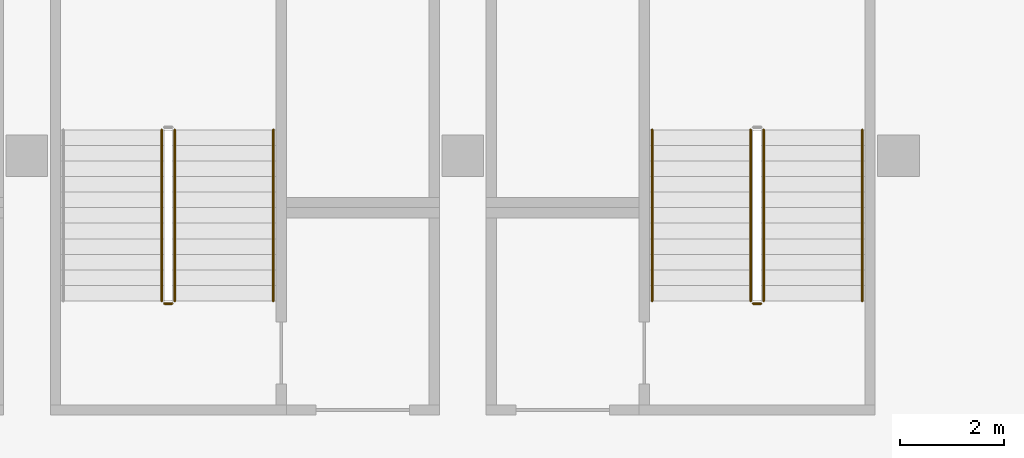
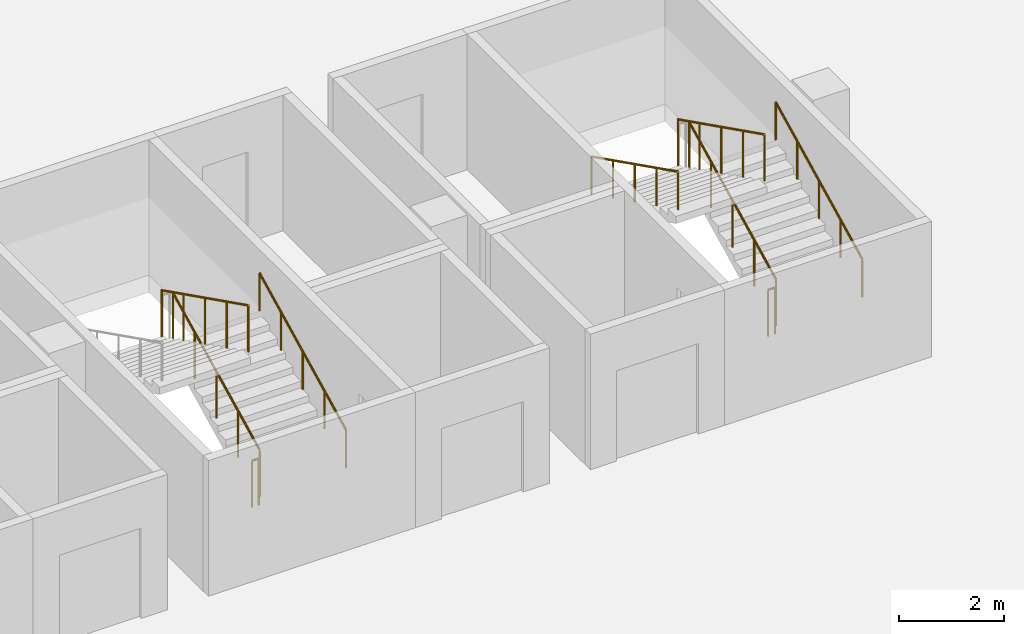
# One storey, part 28 of 37: 9 railings.
"""IFC4 building model written with IfcOpenShell, lengths in metres."""

from ifc_helpers import new_model, si_unit, direction, frame, origin, origin_2d, place, context, subcontext, project, spatial, circle, extrude, material, type_object, element, save


model = new_model("IFC4")

# Units and contexts
model_context = context("Model", 3, precision=1e-05, world=origin(), true_north=direction((0.0, 1.0)))
body_context = subcontext(model_context, "Body", "Model", "MODEL_VIEW")
ifc_project = project(units=[si_unit("LENGTHUNIT", "METRE"), si_unit("AREAUNIT", "SQUARE_METRE"), si_unit("VOLUMEUNIT", "CUBIC_METRE"), si_unit("PLANEANGLEUNIT", "RADIAN"), si_unit("MASSUNIT", "GRAM", prefix="KILO")], contexts=[model_context])

# Site, building, storey
site_placement = place(None, origin())
site = spatial("IfcSite", under=ifc_project, at=site_placement, CompositionType="ELEMENT")
building_placement = place(site_placement, origin())
building = spatial("IfcBuilding", under=site, at=building_placement, Name="Tamra Quay Hotel Tower", CompositionType="ELEMENT")
storey_placement = place(building_placement, frame((0.0, 0.0, -3.60009765625)))
storey = spatial("IfcBuildingStorey", under=building, at=storey_placement, Name="B1", CompositionType="ELEMENT", Elevation=-3.60009765625)

# Railings
ifc_material_1 = material(Name="Basement stair guard 1100")
railing_type_1 = type_object("IfcRailingType", Name="Basement stair guard 1100", PredefinedType="GUARDRAIL", material=ifc_material_1)
railing_1_placement = place(storey_placement, frame((-52.64990234375, 45.199951171875, 0.150146484375)))
element("IfcRailing", 1, at=railing_1_placement, inside=storey, type_object=railing_type_1, Name="BSG", PredefinedType="GUARDRAIL", context=body_context, shape_type="SweptSolid", body=[
    extrude(circle(Radius=0.02392578125, at=origin_2d()), frame((0.0, 0.0, 1.076171875), z_axis=(0.0, 0.894440424912, 0.447187126696), x_axis=(-1.0, 0.0, 0.0)), (0.0, 0.0, 1.0), 3.689453125),
    extrude(circle(Radius=0.02099609375, at=origin_2d()), origin(), (0.0, 0.0, 1.0), 1.052001953125),
    extrude(circle(Radius=0.02099609375, at=origin_2d()), frame((0.0, 0.824951171875, 0.41259765625)), (0.0, 0.0, 1.0), 1.052001953125),
    extrude(circle(Radius=0.02099609375, at=origin_2d()), frame((0.0, 1.64990234375, 0.824951171875)), (0.0, 0.0, 1.0), 1.052001953125),
    extrude(circle(Radius=0.02099609375, at=origin_2d()), frame((0.0, 2.47509765625, 1.2373046875)), (0.0, 0.0, 1.0), 1.052001953125),
    extrude(circle(Radius=0.02099609375, at=origin_2d()), frame((0.0, 3.300048828125, 1.64990234375)), (0.0, 0.0, 1.0), 1.052001953125),
])
railing_2_placement = place(storey_placement, frame((-52.89990234375, 48.5, 1.9501953125)))
element("IfcRailing", 2, at=railing_2_placement, inside=storey, type_object=railing_type_1, Name="BSG", PredefinedType="GUARDRAIL", context=body_context, shape_type="SweptSolid", body=[
    extrude(circle(Radius=0.02392578125, at=origin_2d()), frame((0.0, 0.0, 1.076171875), z_axis=(0.0, -0.894440424912, 0.447187126696), x_axis=(1.0, 0.0, 0.0)), (0.0, 0.0, 1.0), 3.689453125),
    extrude(circle(Radius=0.02099609375, at=origin_2d()), origin(), (0.0, 0.0, 1.0), 1.052001953125),
    extrude(circle(Radius=0.02099609375, at=origin_2d()), frame((0.0, -0.824951171875, 0.41259765625)), (0.0, 0.0, 1.0), 1.052001953125),
    extrude(circle(Radius=0.02099609375, at=origin_2d()), frame((0.0, -1.64990234375, 0.824951171875)), (0.0, 0.0, 1.0), 1.052001953125),
    extrude(circle(Radius=0.02099609375, at=origin_2d()), frame((0.0, -2.47509765625, 1.2373046875)), (0.0, 0.0, 1.0), 1.052001953125),
    extrude(circle(Radius=0.02099609375, at=origin_2d()), frame((0.0, -3.300048828125, 1.64990234375)), (0.0, 0.0, 1.0), 1.052001953125),
])
railing_3_placement = place(storey_placement, frame((-52.699951171875, 45.14990234375, 0.0)))
element("IfcRailing", 3, at=railing_3_placement, inside=storey, type_object=railing_type_1, Name="BSG", PredefinedType="GUARDRAIL", context=body_context, shape_type="SweptSolid", body=[
    extrude(circle(Radius=0.02392578125, at=origin_2d()), frame((0.0, 0.0, 1.076171875), z_axis=(-1.0, 0.0, 0.0), x_axis=(0.0, -1.0, 0.0)), (0.0, 0.0, 1.0), 0.150146484375),
    extrude(circle(Radius=0.02099609375, at=origin_2d()), origin(), (0.0, 0.0, 1.0), 1.052001953125),
    extrude(circle(Radius=0.02099609375, at=origin_2d()), frame((-0.150146484375, 0.0, 0.0)), (0.0, 0.0, 1.0), 1.052001953125),
])
railing_4_placement = place(storey_placement, frame((-41.300048828125, 45.199951171875, 0.150146484375)))
element("IfcRailing", 4, at=railing_4_placement, inside=storey, type_object=railing_type_1, Name="BSG", PredefinedType="GUARDRAIL", context=body_context, shape_type="SweptSolid", body=[
    extrude(circle(Radius=0.02392578125, at=origin_2d()), frame((0.0, 0.0, 1.076171875), z_axis=(0.0, 0.894440424912, 0.447187126696), x_axis=(-1.0, 0.0, 0.0)), (0.0, 0.0, 1.0), 3.689453125),
    extrude(circle(Radius=0.02099609375, at=origin_2d()), origin(), (0.0, 0.0, 1.0), 1.052001953125),
    extrude(circle(Radius=0.02099609375, at=origin_2d()), frame((0.0, 0.824951171875, 0.41259765625)), (0.0, 0.0, 1.0), 1.052001953125),
    extrude(circle(Radius=0.02099609375, at=origin_2d()), frame((0.0, 1.64990234375, 0.824951171875)), (0.0, 0.0, 1.0), 1.052001953125),
    extrude(circle(Radius=0.02099609375, at=origin_2d()), frame((0.0, 2.47509765625, 1.2373046875)), (0.0, 0.0, 1.0), 1.052001953125),
    extrude(circle(Radius=0.02099609375, at=origin_2d()), frame((0.0, 3.300048828125, 1.64990234375)), (0.0, 0.0, 1.0), 1.052001953125),
])
railing_5_placement = place(storey_placement, frame((-41.550048828125, 48.5, 1.9501953125)))
element("IfcRailing", 5, at=railing_5_placement, inside=storey, type_object=railing_type_1, Name="BSG", PredefinedType="GUARDRAIL", context=body_context, shape_type="SweptSolid", body=[
    extrude(circle(Radius=0.02392578125, at=origin_2d()), frame((0.0, 0.0, 1.076171875), z_axis=(0.0, -0.894440424912, 0.447187126696), x_axis=(1.0, 0.0, 0.0)), (0.0, 0.0, 1.0), 3.689453125),
    extrude(circle(Radius=0.02099609375, at=origin_2d()), origin(), (0.0, 0.0, 1.0), 1.052001953125),
    extrude(circle(Radius=0.02099609375, at=origin_2d()), frame((0.0, -0.824951171875, 0.41259765625)), (0.0, 0.0, 1.0), 1.052001953125),
    extrude(circle(Radius=0.02099609375, at=origin_2d()), frame((0.0, -1.64990234375, 0.824951171875)), (0.0, 0.0, 1.0), 1.052001953125),
    extrude(circle(Radius=0.02099609375, at=origin_2d()), frame((0.0, -2.47509765625, 1.2373046875)), (0.0, 0.0, 1.0), 1.052001953125),
    extrude(circle(Radius=0.02099609375, at=origin_2d()), frame((0.0, -3.300048828125, 1.64990234375)), (0.0, 0.0, 1.0), 1.052001953125),
])
railing_6_placement = place(storey_placement, frame((-41.35009765625, 45.14990234375, 0.0)))
element("IfcRailing", 6, at=railing_6_placement, inside=storey, type_object=railing_type_1, Name="BSG", PredefinedType="GUARDRAIL", context=body_context, shape_type="SweptSolid", body=[
    extrude(circle(Radius=0.02392578125, at=origin_2d()), frame((0.0, 0.0, 1.076171875), z_axis=(-1.0, 0.0, 0.0), x_axis=(0.0, -1.0, 0.0)), (0.0, 0.0, 1.0), 0.14990234375),
    extrude(circle(Radius=0.02099609375, at=origin_2d()), origin(), (0.0, 0.0, 1.0), 1.052001953125),
    extrude(circle(Radius=0.02099609375, at=origin_2d()), frame((-0.14990234375, 0.0, 0.0)), (0.0, 0.0, 1.0), 1.052001953125),
])
ifc_material_2 = material(Name="Basement stair handrail 900")
railing_type_2 = type_object("IfcRailingType", Name="Basement stair handrail 900", PredefinedType="HANDRAIL", material=ifc_material_2)
for number, where, name in (
    (7, (-50.75, 45.199951171875, 0.150146484375), "BSH"),
    (8, (-39.39990234375, 45.199951171875, 0.150146484375), "BSH"),
):
    element("IfcRailing", number, at=place(storey_placement, frame(where)), inside=storey, type_object=railing_type_2, Name=name, PredefinedType="HANDRAIL", context=body_context, shape_type="SweptSolid", body=[
        extrude(circle(Radius=0.02392578125, at=origin_2d()), frame((0.0, 0.0, 0.8759765625), z_axis=(0.0, 0.894440424912, 0.447187126696), x_axis=(-1.0, 0.0, 0.0)), (0.0, 0.0, 1.0), 3.689453125),
        extrude(circle(Radius=0.02099609375, at=origin_2d()), origin(), (0.0, 0.0, 1.0), 0.851806640625),
        extrude(circle(Radius=0.02099609375, at=origin_2d()), frame((0.0, 0.824951171875, 0.41259765625)), (0.0, 0.0, 1.0), 0.851806640625),
        extrude(circle(Radius=0.02099609375, at=origin_2d()), frame((0.0, 1.64990234375, 0.824951171875)), (0.0, 0.0, 1.0), 0.851806640625),
        extrude(circle(Radius=0.02099609375, at=origin_2d()), frame((0.0, 2.47509765625, 1.2373046875)), (0.0, 0.0, 1.0), 0.851806640625),
        extrude(circle(Radius=0.02099609375, at=origin_2d()), frame((0.0, 3.300048828125, 1.64990234375)), (0.0, 0.0, 1.0), 0.851806640625),
    ])
railing_7_placement = place(storey_placement, frame((-43.449951171875, 48.5, 1.9501953125)))
element("IfcRailing", 9, at=railing_7_placement, inside=storey, type_object=railing_type_2, Name="BSH", PredefinedType="HANDRAIL", context=body_context, shape_type="SweptSolid", body=[
    extrude(circle(Radius=0.02392578125, at=origin_2d()), frame((0.0, 0.0, 0.8759765625), z_axis=(0.0, -0.894440424912, 0.447187126696), x_axis=(1.0, 0.0, 0.0)), (0.0, 0.0, 1.0), 3.689453125),
    extrude(circle(Radius=0.02099609375, at=origin_2d()), origin(), (0.0, 0.0, 1.0), 0.851806640625),
    extrude(circle(Radius=0.02099609375, at=origin_2d()), frame((0.0, -0.824951171875, 0.41259765625)), (0.0, 0.0, 1.0), 0.851806640625),
    extrude(circle(Radius=0.02099609375, at=origin_2d()), frame((0.0, -1.64990234375, 0.824951171875)), (0.0, 0.0, 1.0), 0.851806640625),
    extrude(circle(Radius=0.02099609375, at=origin_2d()), frame((0.0, -2.47509765625, 1.2373046875)), (0.0, 0.0, 1.0), 0.851806640625),
    extrude(circle(Radius=0.02099609375, at=origin_2d()), frame((0.0, -3.300048828125, 1.64990234375)), (0.0, 0.0, 1.0), 0.851806640625),
])

save(model, "model.ifc")
